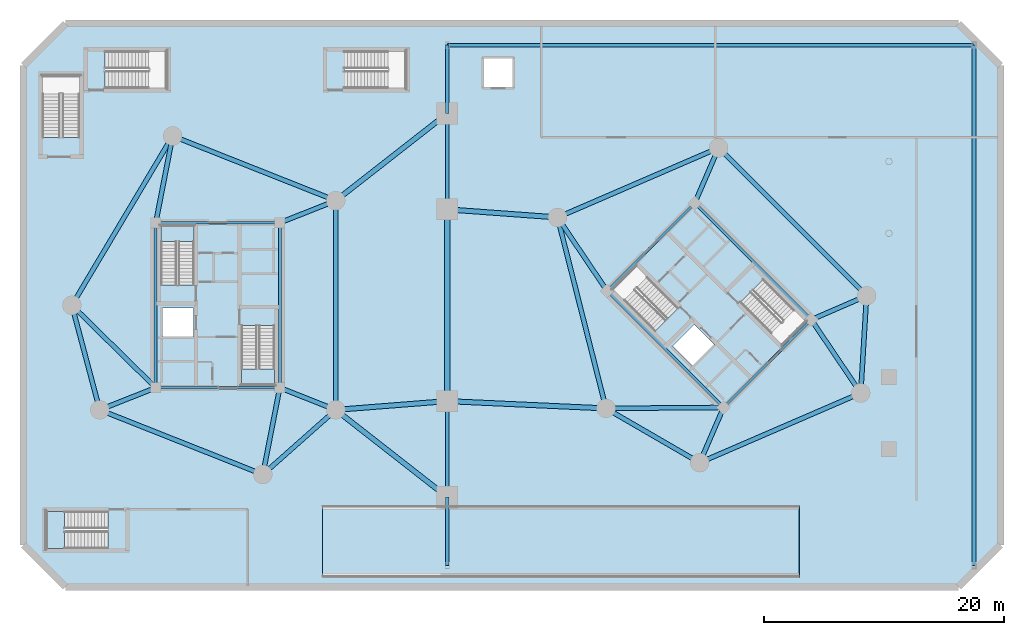
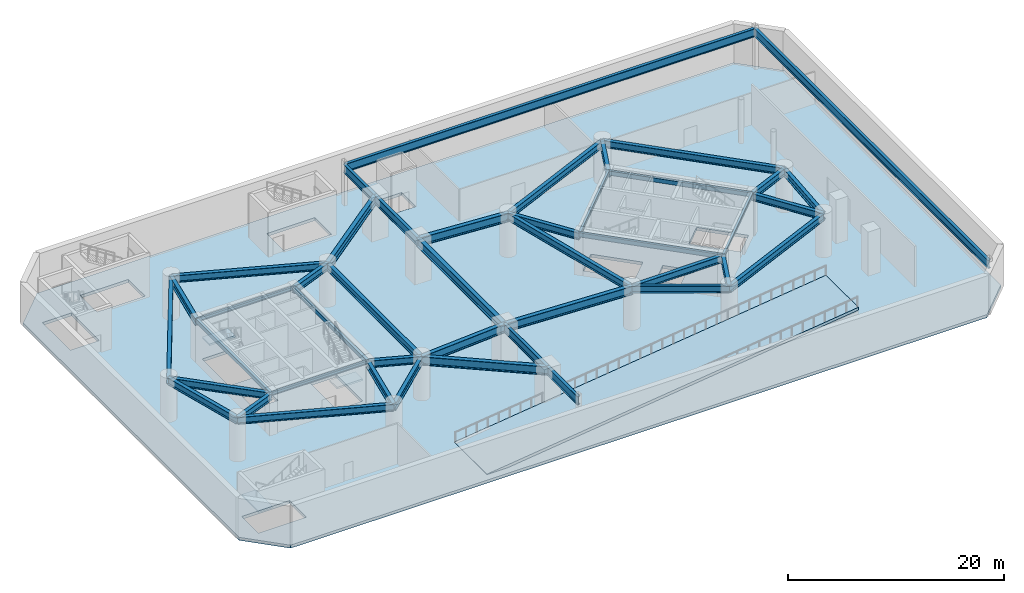
# One storey, part 3 of 14: 44 beams, 5 slabs, 3 elements without a shape of their own.
"""IFC4 building model written with IfcOpenShell, lengths in metres."""

import ifcopenshell
import ifcopenshell.guid

model = None  # the IFC model being written
_history = None  # IfcOwnerHistory: only IFC2X3 demands one
_inside = {}  # id of a spatial element -> (the spatial element, [elements in it])
_under = {}  # id of a project, library or spatial element -> (it, [spatial elements below it])
_declared = {}  # id of a project -> (the project, [libraries it declares])
_typed = {}  # id of a type object -> (the type object, [elements of that type])
_made_of = {}  # id of a material, layer set ... -> (it, [elements and type objects made of it])


def new_model(schema):
    """Start an empty IFC model of exactly this schema.

    Asked for "IFC4X3", IfcOpenShell would pick the latest addendum, in which some entities
    have other attributes; the version numbers below select the first issue.
    IFC2X3 requires an IfcOwnerHistory on every rooted entity: one is made here for all.
    """
    global model, _history
    if schema == "IFC4X3":
        model = ifcopenshell.file(schema_version=(4, 3, 0, 0))
    else:
        model = ifcopenshell.file(schema=schema)
    _inside.clear()
    _under.clear()
    _declared.clear()
    _typed.clear()
    _made_of.clear()
    _history = None
    if model.schema == "IFC2X3":
        org = make("IfcOrganization", Name="unknown")
        user = make(
            "IfcPersonAndOrganization",
            ThePerson=make("IfcPerson", FamilyName="unknown"),
            TheOrganization=org,
        )
        app = make(
            "IfcApplication",
            ApplicationDeveloper=org,
            Version="unknown",
            ApplicationFullName="unknown",
            ApplicationIdentifier="unknown",
        )
        _history = make(
            "IfcOwnerHistory",
            OwningUser=user,
            OwningApplication=app,
            ChangeAction="ADDED",
            CreationDate=0,
        )
    return model


def make(cls, **values):
    """One entity of the class cls with the attributes given. An attribute that is None is left unset."""
    return model.create_entity(
        cls, **{name: value for name, value in values.items() if value is not None}
    )


def rooted(cls, **values):
    """An entity with a GlobalId (a new one), such as an element, a storey or a relation."""
    return make(cls, GlobalId=ifcopenshell.guid.new(), OwnerHistory=_history, **values)


def si_unit(unit_type, name, prefix=None):
    """IfcSIUnit, for example si_unit("LENGTHUNIT", "METRE", prefix="MILLI")."""
    return make("IfcSIUnit", UnitType=unit_type, Prefix=prefix, Name=name)


def assignment(units):
    """IfcUnitAssignment: the units of a project."""
    return None if units is None else make("IfcUnitAssignment", Units=units)


def point(xyz):
    """IfcCartesianPoint."""
    return None if xyz is None else make("IfcCartesianPoint", Coordinates=xyz)


def direction(xyz):
    """IfcDirection."""
    return None if xyz is None else make("IfcDirection", DirectionRatios=xyz)


def frame(location, z_axis=None, x_axis=None):
    """IfcAxis2Placement3D, a coordinate frame: its origin and axes. An axis left out is left unset."""
    return make(
        "IfcAxis2Placement3D",
        Location=point(location),
        Axis=direction(z_axis),
        RefDirection=direction(x_axis),
    )


def frame_2d(location, x_axis=None):
    """IfcAxis2Placement2D, a coordinate frame in the plane: its origin and x axis."""
    return make(
        "IfcAxis2Placement2D", Location=point(location), RefDirection=direction(x_axis)
    )


def origin():
    """The frame at (0, 0, 0) with its axes left unset."""
    return frame((0.0, 0.0, 0.0))


def origin_2d():
    """The frame at (0, 0) in the plane with its x axis left unset."""
    return frame_2d((0.0, 0.0))


def place(relative_to, where):
    """IfcLocalPlacement: puts the frame where relative to a parent placement (None: the world)."""
    return make(
        "IfcLocalPlacement", PlacementRelTo=relative_to, RelativePlacement=where
    )


def context(
    kind, dimensions, precision=None, world=None, true_north=None, identifier=None
):
    """IfcGeometricRepresentationContext, for example the 3D "Model" context."""
    return make(
        "IfcGeometricRepresentationContext",
        ContextIdentifier=identifier,
        ContextType=kind,
        CoordinateSpaceDimension=dimensions,
        Precision=precision,
        WorldCoordinateSystem=world,
        TrueNorth=true_north,
    )


def subcontext(parent, identifier, kind, view, scale=None):
    """IfcGeometricRepresentationSubContext, for example "Body" below "Model"."""
    return make(
        "IfcGeometricRepresentationSubContext",
        ContextIdentifier=identifier,
        ContextType=kind,
        ParentContext=parent,
        TargetScale=scale,
        TargetView=view,
    )


def project(units=None, contexts=None):
    """IfcProject with its units and contexts."""
    return rooted(
        "IfcProject",
        Name="project",
        RepresentationContexts=contexts,
        UnitsInContext=assignment(units),
    )


def spatial(cls, under=None, at=None, **own):
    """A site, building, storey or space (cls), placed at a placement, below another one or the project."""
    s = rooted(cls, ObjectPlacement=at, **own)
    if under is not None:
        _under.setdefault(under.id(), (under, []))[1].append(s)
    return s


def polyline(points):
    """IfcPolyline through the points."""
    return make("IfcPolyline", Points=[point(p) for p in points])


def profile(cls, at=None, kind="AREA", **sizes):
    """A parametric profile (cls). Its sizes go by their IFC names, for example OverallWidth=200.0."""
    return make(cls, ProfileType=kind, Position=at, **sizes)


def hollow_rectangle(**sizes):
    """IfcRectangleHollowProfileDef."""
    return profile("IfcRectangleHollowProfileDef", **sizes)


def i_section(**sizes):
    """IfcIShapeProfileDef."""
    return profile("IfcIShapeProfileDef", **sizes)


def outline(outer, holes=None, kind="AREA"):
    """IfcArbitraryClosedProfileDef: a profile drawn as a closed curve; with holes, ...WithVoids."""
    if holes is None:
        return make("IfcArbitraryClosedProfileDef", ProfileType=kind, OuterCurve=outer)
    return make(
        "IfcArbitraryProfileDefWithVoids",
        ProfileType=kind,
        OuterCurve=outer,
        InnerCurves=holes,
    )


def extrude(swept, where, along, depth):
    """IfcExtrudedAreaSolid: the profile swept, set in the frame where, extruded along a direction by depth."""
    return make(
        "IfcExtrudedAreaSolid",
        SweptArea=swept,
        Position=where,
        ExtrudedDirection=direction(along),
        Depth=depth,
    )


def shape(context_of_items, identifier, shape_type, items):
    """IfcShapeRepresentation: the items that make up one representation, for example the "Body"."""
    return make(
        "IfcShapeRepresentation",
        ContextOfItems=context_of_items,
        RepresentationIdentifier=identifier,
        RepresentationType=shape_type,
        Items=items,
    )


def material(Name=None, Category=None):
    """IfcMaterial."""
    return make("IfcMaterial", Name=Name, Category=Category)


def layer(
    of_material, thickness, ventilated=None, Name=None, Category=None, Priority=None
):
    """IfcMaterialLayer: one layer of a wall or slab, of a material (None: an air gap)."""
    return make(
        "IfcMaterialLayer",
        Material=of_material,
        LayerThickness=thickness,
        IsVentilated=ventilated,
        Name=Name,
        Category=Category,
        Priority=Priority,
    )


def layer_set(layers, Name=None):
    """IfcMaterialLayerSet."""
    return make("IfcMaterialLayerSet", MaterialLayers=layers, LayerSetName=Name)


def material_profile(
    of_material, cross_section, Name=None, Category=None, Priority=None
):
    """IfcMaterialProfile: a cross section and its material."""
    return make(
        "IfcMaterialProfile",
        Name=Name,
        Material=of_material,
        Profile=cross_section,
        Priority=Priority,
        Category=Category,
    )


def profile_set(profiles, Name=None, composite=None):
    """IfcMaterialProfileSet."""
    return make(
        "IfcMaterialProfileSet",
        Name=Name,
        MaterialProfiles=profiles,
        CompositeProfile=composite,
    )


def made_of(thing, what):
    """Note that an element or type object is made of a material, layer set ...; save() writes the relation."""
    if what is not None:
        _made_of.setdefault(what.id(), (what, []))[1].append(thing)
    return thing


def type_object(cls, material=None, **own):
    """A type object (cls), such as IfcWallType, which elements share."""
    return made_of(rooted(cls, **own), material)


def element(
    cls,
    number,
    at=None,
    inside=None,
    cuts=None,
    type_object=None,
    material=None,
    context=None,
    identifier="Body",
    shape_type=None,
    held_by="IfcProductDefinitionShape",
    body=None,
    shapes=None,
    **own,
):
    """One element of the class cls, such as IfcWall. Its Tag is "e" and its number.

    at: its placement. inside: the storey or other place that contains it. cuts: it is an
    opening in that element (IfcRelVoidsElement). A single representation is given by context,
    identifier, shape_type and body (its items); several are given by shapes. held_by: the class
    of the entity that holds the representations. save() writes the other relations.
    """
    e = rooted(cls, Tag="e%d" % number, ObjectPlacement=at, **own)
    if body is not None:
        shapes = [shape(context, identifier, shape_type, body)]
    if shapes is not None:
        e.Representation = make(held_by, Representations=shapes)
    if inside is not None:
        _inside.setdefault(inside.id(), (inside, []))[1].append(e)
    if cuts is not None:
        rooted(
            "IfcRelVoidsElement", RelatingBuildingElement=cuts, RelatedOpeningElement=e
        )
    if type_object is not None:
        _typed.setdefault(type_object.id(), (type_object, []))[1].append(e)
    return made_of(e, material)


def aggregate(whole, parts):
    """IfcRelAggregates: a whole, such as a stair, and the parts it consists of."""
    return rooted("IfcRelAggregates", RelatingObject=whole, RelatedObjects=parts)


def save(model, path):
    """Write the relations noted so far, then the file.

    IfcRelAggregates (storeys below a building ...), IfcRelContainedInSpatialStructure (elements
    in a storey), IfcRelDefinesByType, IfcRelAssociatesMaterial and IfcRelDeclares: one each for
    every whole, place, type object, material and project.
    """
    for whole, parts in _under.values():
        aggregate(whole, parts)
    for where, things in _inside.values():
        rooted(
            "IfcRelContainedInSpatialStructure",
            RelatedElements=things,
            RelatingStructure=where,
        )
    for kind, things in _typed.values():
        rooted("IfcRelDefinesByType", RelatedObjects=things, RelatingType=kind)
    for what, things in _made_of.values():
        rooted("IfcRelAssociatesMaterial", RelatedObjects=things, RelatingMaterial=what)
    for by, libraries in _declared.values():
        rooted("IfcRelDeclares", RelatingContext=by, RelatedDefinitions=libraries)
    model.write(path)


model = new_model("IFC4")

# Units and contexts
model_context = context("Model", 3, precision=1e-05, world=origin(), true_north=direction((0.0, 1.0)))
body_context = subcontext(model_context, "Body", "Model", "MODEL_VIEW")
ifc_project = project(units=[si_unit("LENGTHUNIT", "METRE"), si_unit("AREAUNIT", "SQUARE_METRE"), si_unit("VOLUMEUNIT", "CUBIC_METRE"), si_unit("PLANEANGLEUNIT", "RADIAN"), si_unit("MASSUNIT", "GRAM", prefix="KILO")], contexts=[model_context])

# Site, building, storey
site_placement = place(None, origin())
site = spatial("IfcSite", under=ifc_project, at=site_placement, CompositionType="ELEMENT")
building_placement = place(site_placement, origin())
building = spatial("IfcBuilding", under=site, at=building_placement, Name="Cununo Teusaquillo Station Towers", CompositionType="ELEMENT")
storey_placement = place(building_placement, frame((0.0, 0.0, -5.0)))
storey = spatial("IfcBuildingStorey", under=building, at=storey_placement, Name="B01", CompositionType="ELEMENT", Elevation=-5.0)

# Beams
ifc_material_1 = material(Name="Steel EN 10025-2 S355J2", Category="steel")
ifc_material_profile_1 = material_profile(ifc_material_1, hollow_rectangle(XDim=0.25, YDim=0.449951171875, WallThickness=0.01611328125, at=origin_2d()), Name="RHS 450x250x16")
ifc_profile_set_1 = profile_set([ifc_material_profile_1], Name="Steel EN 10025-2 S355J2")
beam_type_1 = type_object("IfcBeamType", Name="BM-COUP-1", PredefinedType="USERDEFINED", material=ifc_profile_set_1)
for number, where, z_axis, x_axis, name in (
    (1, (11.324951171875, 17.6201171875, 4.39501953125), (0.0, 1.0, 0.0), (-1.0, 0.0, 0.0), "B01 Tower A Core Beam 1"),
    (2, (21.675048828125, 17.6201171875, 4.39501953125), (0.0, 1.0, 0.0), (-1.0, 0.0, 0.0), "B01 Tower A Core Beam 2"),
):
    element("IfcBeam", number, at=place(storey_placement, frame(where, z_axis=z_axis, x_axis=x_axis)), inside=storey, type_object=beam_type_1, Name=name, ObjectType="COUPLING BEAM", PredefinedType="USERDEFINED", context=body_context, shape_type="SweptSolid", body=[
        extrude(hollow_rectangle(XDim=0.25, YDim=0.449951171875, WallThickness=0.01611328125, at=origin_2d()), origin(), (0.0, 0.0, 1.0), 13.759765625),
    ])
for number, where, z_axis, x_axis, name in (
    (3, (58.70556640625, 15.975830078125, 4.39501953125), (-0.707106781187, 0.707106781187, 0.0), (-0.707106781187, -0.707106781187, 0.0), "B01 Tower B Core Beam 1"),
    (4, (66.024169921875, 23.29443359375, 4.39501953125), (-0.707106781187, 0.707106781187, 0.0), (-0.707106781187, -0.707106781187, 0.0), "B01 Tower B Core Beam 2"),
):
    element("IfcBeam", number, at=place(storey_placement, frame(where, z_axis=z_axis, x_axis=x_axis)), inside=storey, type_object=beam_type_1, Name=name, ObjectType="COUPLING BEAM", PredefinedType="USERDEFINED", context=body_context, shape_type="SweptSolid", body=[
        extrude(hollow_rectangle(XDim=0.25, YDim=0.449951171875, WallThickness=0.01611328125, at=origin_2d()), origin(), (0.0, 0.0, 1.0), 13.760009765625),
    ])
ifc_material_2 = material(Name="Steel ASTM A572 Grade 50", Category="steel")
ifc_material_profile_2 = material_profile(ifc_material_2, i_section(OverallWidth=0.2041015625, OverallDepth=0.35009765625, WebThickness=0.008544921875, FlangeThickness=0.01513671875, FilletRadius=0.011962890625, at=origin_2d()), Name="W14X48")
ifc_profile_set_2 = profile_set([ifc_material_profile_2], Name="Steel ASTM A572 Grade 50")
beam_type_2 = type_object("IfcBeamType", Name="BM-LINTEL-1", PredefinedType="LINTEL", material=ifc_profile_set_2)
for number, where, z_axis, x_axis, name in (
    (5, (11.324951171875, 17.6201171875, 4.445068359375), (1.0, 0.0, 0.0), (0.0, 1.0, 0.0), "B01 Tower A Core Beam 3"),
    (6, (11.324951171875, 31.3798828125, 4.445068359375), (1.0, 0.0, 0.0), (0.0, 1.0, 0.0), "B01 Tower A Core Beam 4"),
    (7, (58.70556640625, 15.975830078125, 4.445068359375), (0.707106781187, 0.707106781187, 0.0), (-0.707106781187, 0.707106781187, 0.0), "B01 Tower B Core Beam 3"),
    (8, (48.975830078125, 25.70556640625, 4.445068359375), (0.707106781187, 0.707106781187, 0.0), (-0.707106781187, 0.707106781187, 0.0), "B01 Tower B Core Beam 4"),
):
    element("IfcBeam", number, at=place(storey_placement, frame(where, z_axis=z_axis, x_axis=x_axis)), inside=storey, type_object=beam_type_2, Name=name, PredefinedType="LINTEL", context=body_context, shape_type="SweptSolid", body=[
        extrude(i_section(OverallWidth=0.2041015625, OverallDepth=0.35009765625, WebThickness=0.008544921875, FlangeThickness=0.01513671875, FilletRadius=0.011962890625, at=origin_2d()), origin(), (0.0, 0.0, 1.0), 10.35009765625),
    ])
ifc_material_3 = material(Name="Steel ASTM A572 Grade 50", Category="steel")
ifc_material_profile_3 = material_profile(ifc_material_3, i_section(OverallWidth=0.381103515625, OverallDepth=0.77294921875, WebThickness=0.0166015625, FlangeThickness=0.027099609375, FilletRadius=0.01904296875, at=origin_2d()), Name="W30X173")
ifc_profile_set_3 = profile_set([ifc_material_profile_3], Name="Steel ASTM A572 Grade 50")
beam_type_3 = type_object("IfcBeamType", Name="BM-POD-G4", PredefinedType="BEAM", material=ifc_profile_set_3)
beam_1_placement = place(storey_placement, frame((26.347412109375, 33.228515625, 4.2333984375), z_axis=(-0.929621249939, 0.368516392664, 0.0), x_axis=(-0.368516392664, -0.929621249939, 0.0)))
element("IfcBeam", 9, at=beam_1_placement, inside=storey, type_object=beam_type_3, Name="B01 Tower A Podium Perimeter Girder 1", PredefinedType="BEAM", context=body_context, shape_type="SweptSolid", body=[
    extrude(i_section(OverallWidth=0.381103515625, OverallDepth=0.77294921875, WebThickness=0.0166015625, FlangeThickness=0.027099609375, FilletRadius=0.01904296875, at=origin_2d()), origin(), (0.0, 0.0, 1.0), 14.63916015625),
])
beam_2_placement = place(storey_placement, frame((12.738525390625, 38.623291015625, 4.2333984375), z_axis=(-0.511660099054, -0.859187955593, 0.0), x_axis=(0.859187955593, -0.511660099054, 0.0)))
element("IfcBeam", 10, at=beam_2_placement, inside=storey, type_object=beam_type_3, Name="B01 Tower A Podium Perimeter Girder 2", PredefinedType="BEAM", context=body_context, shape_type="SweptSolid", body=[
    extrude(i_section(OverallWidth=0.381103515625, OverallDepth=0.77294921875, WebThickness=0.0166015625, FlangeThickness=0.027099609375, FilletRadius=0.01904296875, at=origin_2d()), origin(), (0.0, 0.0, 1.0), 16.43798828125),
])
beam_3_placement = place(storey_placement, frame((4.327880859375, 24.5, 4.2333984375), z_axis=(0.257363196347, -0.966314744359, 0.0), x_axis=(0.966314744359, 0.257363196347, 0.0)))
element("IfcBeam", 11, at=beam_3_placement, inside=storey, type_object=beam_type_3, Name="B01 Tower A Podium Perimeter Girder 3", PredefinedType="BEAM", context=body_context, shape_type="SweptSolid", body=[
    extrude(i_section(OverallWidth=0.381103515625, OverallDepth=0.77294921875, WebThickness=0.0166015625, FlangeThickness=0.027099609375, FilletRadius=0.01904296875, at=origin_2d()), origin(), (0.0, 0.0, 1.0), 9.03271484375),
])
beam_4_placement = place(storey_placement, frame((6.652587890625, 15.771484375, 4.2333984375), z_axis=(0.929621249939, -0.368516392664, 0.0), x_axis=(0.368516392664, 0.929621249939, 0.0)))
element("IfcBeam", 12, at=beam_4_placement, inside=storey, type_object=beam_type_3, Name="B01 Tower A Podium Perimeter Girder 4", PredefinedType="BEAM", context=body_context, shape_type="SweptSolid", body=[
    extrude(i_section(OverallWidth=0.381103515625, OverallDepth=0.77294921875, WebThickness=0.0166015625, FlangeThickness=0.027099609375, FilletRadius=0.01904296875, at=origin_2d()), origin(), (0.0, 0.0, 1.0), 14.63916015625),
])
beam_5_placement = place(storey_placement, frame((20.261474609375, 10.376708984375, 4.2333984375), z_axis=(0.74832120039, 0.66333655187, 0.0), x_axis=(-0.66333655187, 0.74832120039, 0.0)))
element("IfcBeam", 13, at=beam_5_placement, inside=storey, type_object=beam_type_3, Name="B01 Tower A Podium Perimeter Girder 5", PredefinedType="BEAM", context=body_context, shape_type="SweptSolid", body=[
    extrude(i_section(OverallWidth=0.381103515625, OverallDepth=0.77294921875, WebThickness=0.0166015625, FlangeThickness=0.027099609375, FilletRadius=0.01904296875, at=origin_2d()), origin(), (0.0, 0.0, 1.0), 8.1328125),
])
beam_6_placement = place(storey_placement, frame((26.347412109375, 15.771484375, 4.2333984375), z_axis=(0.0, 1.0, 0.0), x_axis=(-1.0, 0.0, 0.0)))
element("IfcBeam", 14, at=beam_6_placement, inside=storey, type_object=beam_type_3, Name="B01 Tower A Podium Perimeter Girder 6", PredefinedType="BEAM", context=body_context, shape_type="SweptSolid", body=[
    extrude(i_section(OverallWidth=0.381103515625, OverallDepth=0.77294921875, WebThickness=0.0166015625, FlangeThickness=0.027099609375, FilletRadius=0.01904296875, at=origin_2d()), origin(), (0.0, 0.0, 1.0), 17.45703125),
])
beam_7_placement = place(storey_placement, frame((21.675048828125, 31.3798828125, 4.2333984375), z_axis=(0.929864104313, 0.367903176814, 0.0), x_axis=(-0.367903176814, 0.929864104313, 0.0)))
element("IfcBeam", 15, at=beam_7_placement, inside=storey, type_object=beam_type_3, Name="B01 Tower A Podium Radial Girder 1", PredefinedType="BEAM", context=body_context, shape_type="SweptSolid", body=[
    extrude(i_section(OverallWidth=0.381103515625, OverallDepth=0.77294921875, WebThickness=0.0166015625, FlangeThickness=0.027099609375, FilletRadius=0.01904296875, at=origin_2d()), origin(), (0.0, 0.0, 1.0), 5.02490234375),
])
beam_8_placement = place(storey_placement, frame((11.324951171875, 31.3798828125, 4.2333984375), z_axis=(0.191539895403, 0.981484828446, 0.0), x_axis=(-0.981484828446, 0.191539895403, 0.0)))
element("IfcBeam", 16, at=beam_8_placement, inside=storey, type_object=beam_type_3, Name="B01 Tower A Podium Radial Girder 2", PredefinedType="BEAM", context=body_context, shape_type="SweptSolid", body=[
    extrude(i_section(OverallWidth=0.381103515625, OverallDepth=0.77294921875, WebThickness=0.0166015625, FlangeThickness=0.027099609375, FilletRadius=0.01904296875, at=origin_2d()), origin(), (0.0, 0.0, 1.0), 7.380126953125),
])
beam_9_placement = place(storey_placement, frame((11.324951171875, 17.6201171875, 4.2333984375), z_axis=(-0.713052701438, 0.701110437073, 0.0), x_axis=(-0.701110437073, -0.713052701438, 0.0)))
element("IfcBeam", 17, at=beam_9_placement, inside=storey, type_object=beam_type_3, Name="B01 Tower A Podium Radial Girder 3", PredefinedType="BEAM", context=body_context, shape_type="SweptSolid", body=[
    extrude(i_section(OverallWidth=0.381103515625, OverallDepth=0.77294921875, WebThickness=0.0166015625, FlangeThickness=0.027099609375, FilletRadius=0.01904296875, at=origin_2d()), origin(), (0.0, 0.0, 1.0), 9.812744140625),
])
beam_10_placement = place(storey_placement, frame((11.324951171875, 17.6201171875, 4.2333984375), z_axis=(-0.929864104313, -0.367903176814, 0.0), x_axis=(0.367903176814, -0.929864104313, 0.0)))
element("IfcBeam", 18, at=beam_10_placement, inside=storey, type_object=beam_type_3, Name="B01 Tower A Podium Radial Girder 4", PredefinedType="BEAM", context=body_context, shape_type="SweptSolid", body=[
    extrude(i_section(OverallWidth=0.381103515625, OverallDepth=0.77294921875, WebThickness=0.0166015625, FlangeThickness=0.027099609375, FilletRadius=0.01904296875, at=origin_2d()), origin(), (0.0, 0.0, 1.0), 5.02490234375),
])
beam_11_placement = place(storey_placement, frame((21.675048828125, 17.6201171875, 4.2333984375), z_axis=(-0.191539895403, -0.981484828446, 0.0), x_axis=(0.981484828446, -0.191539895403, 0.0)))
element("IfcBeam", 19, at=beam_11_placement, inside=storey, type_object=beam_type_3, Name="B01 Tower A Podium Radial Girder 5", PredefinedType="BEAM", context=body_context, shape_type="SweptSolid", body=[
    extrude(i_section(OverallWidth=0.381103515625, OverallDepth=0.77294921875, WebThickness=0.0166015625, FlangeThickness=0.027099609375, FilletRadius=0.01904296875, at=origin_2d()), origin(), (0.0, 0.0, 1.0), 7.380126953125),
])
beam_12_placement = place(storey_placement, frame((21.675048828125, 17.6201171875, 4.2333984375), z_axis=(0.929864104313, -0.367903176814, 0.0), x_axis=(0.367903176814, 0.929864104313, 0.0)))
element("IfcBeam", 20, at=beam_12_placement, inside=storey, type_object=beam_type_3, Name="B01 Tower A Podium Radial Girder 6", PredefinedType="BEAM", context=body_context, shape_type="SweptSolid", body=[
    extrude(i_section(OverallWidth=0.381103515625, OverallDepth=0.77294921875, WebThickness=0.0166015625, FlangeThickness=0.027099609375, FilletRadius=0.01904296875, at=origin_2d()), origin(), (0.0, 0.0, 1.0), 5.02490234375),
])
beam_13_placement = place(storey_placement, frame((58.291015625, 37.63525390625, 4.2333984375), z_axis=(-0.917915648818, -0.396775580971, 0.0), x_axis=(0.396775580971, -0.917915648818, 0.0)))
element("IfcBeam", 21, at=beam_13_placement, inside=storey, type_object=beam_type_3, Name="B01 Tower B Podium Perimeter Girder 1", PredefinedType="BEAM", context=body_context, shape_type="SweptSolid", body=[
    extrude(i_section(OverallWidth=0.381103515625, OverallDepth=0.77294921875, WebThickness=0.0166015625, FlangeThickness=0.027099609375, FilletRadius=0.01904296875, at=origin_2d()), origin(), (0.0, 0.0, 1.0), 14.638916015625),
])
beam_14_placement = place(storey_placement, frame((44.853759765625, 31.826904296875, 4.2333984375), z_axis=(0.245731928557, -0.969337825161, 0.0), x_axis=(0.969337825161, 0.245731928557, 0.0)))
element("IfcBeam", 22, at=beam_14_placement, inside=storey, type_object=beam_type_3, Name="B01 Tower B Podium Perimeter Girder 2", PredefinedType="BEAM", context=body_context, shape_type="SweptSolid", body=[
    extrude(i_section(OverallWidth=0.381103515625, OverallDepth=0.77294921875, WebThickness=0.0166015625, FlangeThickness=0.027099609375, FilletRadius=0.01904296875, at=origin_2d()), origin(), (0.0, 0.0, 1.0), 16.437744140625),
])
beam_15_placement = place(storey_placement, frame((48.89306640625, 15.89306640625, 4.2333984375), z_axis=(0.865267103202, -0.501311121078, 0.0), x_axis=(0.501311121078, 0.865267103202, 0.0)))
element("IfcBeam", 23, at=beam_15_placement, inside=storey, type_object=beam_type_3, Name="B01 Tower B Podium Perimeter Girder 3", PredefinedType="BEAM", context=body_context, shape_type="SweptSolid", body=[
    extrude(i_section(OverallWidth=0.381103515625, OverallDepth=0.77294921875, WebThickness=0.0166015625, FlangeThickness=0.027099609375, FilletRadius=0.01904296875, at=origin_2d()), origin(), (0.0, 0.0, 1.0), 9.032958984375),
])
beam_16_placement = place(storey_placement, frame((56.708984375, 11.36474609375, 4.2333984375), z_axis=(0.917915648818, 0.396775580971, 0.0), x_axis=(-0.396775580971, 0.917915648818, 0.0)))
element("IfcBeam", 24, at=beam_16_placement, inside=storey, type_object=beam_type_3, Name="B01 Tower B Podium Perimeter Girder 4", PredefinedType="BEAM", context=body_context, shape_type="SweptSolid", body=[
    extrude(i_section(OverallWidth=0.381103515625, OverallDepth=0.77294921875, WebThickness=0.0166015625, FlangeThickness=0.027099609375, FilletRadius=0.01904296875, at=origin_2d()), origin(), (0.0, 0.0, 1.0), 14.638916015625),
])
beam_17_placement = place(storey_placement, frame((70.146240234375, 17.173095703125, 4.2333984375), z_axis=(0.06012979176, 0.998190567048, 0.0), x_axis=(-0.998190567048, 0.06012979176, 0.0)))
element("IfcBeam", 25, at=beam_17_placement, inside=storey, type_object=beam_type_3, Name="B01 Tower B Podium Perimeter Girder 5", PredefinedType="BEAM", context=body_context, shape_type="SweptSolid", body=[
    extrude(i_section(OverallWidth=0.381103515625, OverallDepth=0.77294921875, WebThickness=0.0166015625, FlangeThickness=0.027099609375, FilletRadius=0.01904296875, at=origin_2d()), origin(), (0.0, 0.0, 1.0), 8.132568359375),
])
beam_18_placement = place(storey_placement, frame((70.63525390625, 25.291015625, 4.2333984375), z_axis=(-0.707106781187, 0.707106781187, 0.0), x_axis=(-0.707106781187, -0.707106781187, 0.0)))
element("IfcBeam", 26, at=beam_18_placement, inside=storey, type_object=beam_type_3, Name="B01 Tower B Podium Perimeter Girder 6", PredefinedType="BEAM", context=body_context, shape_type="SweptSolid", body=[
    extrude(i_section(OverallWidth=0.381103515625, OverallDepth=0.77294921875, WebThickness=0.0166015625, FlangeThickness=0.027099609375, FilletRadius=0.01904296875, at=origin_2d()), origin(), (0.0, 0.0, 1.0), 17.457275390625),
])
beam_19_placement = place(storey_placement, frame((56.29443359375, 33.024169921875, 4.2333984375), z_axis=(0.397346986387, 0.917668443616, 0.0), x_axis=(-0.917668443616, 0.397346986387, 0.0)))
element("IfcBeam", 27, at=beam_19_placement, inside=storey, type_object=beam_type_3, Name="B01 Tower B Podium Radial Girder 1", PredefinedType="BEAM", context=body_context, shape_type="SweptSolid", body=[
    extrude(i_section(OverallWidth=0.381103515625, OverallDepth=0.77294921875, WebThickness=0.0166015625, FlangeThickness=0.027099609375, FilletRadius=0.01904296875, at=origin_2d()), origin(), (0.0, 0.0, 1.0), 5.02490234375),
])
beam_20_placement = place(storey_placement, frame((48.975830078125, 25.70556640625, 4.2333984375), z_axis=(-0.558557182486, 0.829466017323, 0.0), x_axis=(-0.829466017323, -0.558557182486, 0.0)))
element("IfcBeam", 28, at=beam_20_placement, inside=storey, type_object=beam_type_3, Name="B01 Tower B Podium Radial Girder 2", PredefinedType="BEAM", context=body_context, shape_type="SweptSolid", body=[
    extrude(i_section(OverallWidth=0.381103515625, OverallDepth=0.77294921875, WebThickness=0.0166015625, FlangeThickness=0.027099609375, FilletRadius=0.01904296875, at=origin_2d()), origin(), (0.0, 0.0, 1.0), 7.3798828125),
])
beam_21_placement = place(storey_placement, frame((58.70556640625, 15.975830078125, 4.2333984375), z_axis=(-0.999964431382, -0.008434214327, 0.0), x_axis=(0.008434214327, -0.999964431382, 0.0)))
element("IfcBeam", 29, at=beam_21_placement, inside=storey, type_object=beam_type_3, Name="B01 Tower B Podium Radial Girder 3", PredefinedType="BEAM", context=body_context, shape_type="SweptSolid", body=[
    extrude(i_section(OverallWidth=0.381103515625, OverallDepth=0.77294921875, WebThickness=0.0166015625, FlangeThickness=0.027099609375, FilletRadius=0.01904296875, at=origin_2d()), origin(), (0.0, 0.0, 1.0), 9.812744140625),
])
beam_22_placement = place(storey_placement, frame((58.70556640625, 15.975830078125, 4.2333984375), z_axis=(-0.397346986387, -0.917668443616, 0.0), x_axis=(0.917668443616, -0.397346986387, 0.0)))
element("IfcBeam", 30, at=beam_22_placement, inside=storey, type_object=beam_type_3, Name="B01 Tower B Podium Radial Girder 4", PredefinedType="BEAM", context=body_context, shape_type="SweptSolid", body=[
    extrude(i_section(OverallWidth=0.381103515625, OverallDepth=0.77294921875, WebThickness=0.0166015625, FlangeThickness=0.027099609375, FilletRadius=0.01904296875, at=origin_2d()), origin(), (0.0, 0.0, 1.0), 5.02490234375),
])
beam_23_placement = place(storey_placement, frame((66.024169921875, 23.29443359375, 4.2333984375), z_axis=(0.558557182486, -0.829466017323, 0.0), x_axis=(0.829466017323, 0.558557182486, 0.0)))
element("IfcBeam", 31, at=beam_23_placement, inside=storey, type_object=beam_type_3, Name="B01 Tower B Podium Radial Girder 5", PredefinedType="BEAM", context=body_context, shape_type="SweptSolid", body=[
    extrude(i_section(OverallWidth=0.381103515625, OverallDepth=0.77294921875, WebThickness=0.0166015625, FlangeThickness=0.027099609375, FilletRadius=0.01904296875, at=origin_2d()), origin(), (0.0, 0.0, 1.0), 7.3798828125),
])
beam_24_placement = place(storey_placement, frame((66.024169921875, 23.29443359375, 4.2333984375), z_axis=(0.917668443616, 0.397346986387, 0.0), x_axis=(-0.397346986387, 0.917668443616, 0.0)))
element("IfcBeam", 32, at=beam_24_placement, inside=storey, type_object=beam_type_3, Name="B01 Tower B Podium Radial Girder 6", PredefinedType="BEAM", context=body_context, shape_type="SweptSolid", body=[
    extrude(i_section(OverallWidth=0.381103515625, OverallDepth=0.77294921875, WebThickness=0.0166015625, FlangeThickness=0.027099609375, FilletRadius=0.01904296875, at=origin_2d()), origin(), (0.0, 0.0, 1.0), 5.02490234375),
])
ifc_material_4 = material(Name="Steel ASTM A572 Grade 50", Category="steel")
ifc_material_profile_4 = material_profile(ifc_material_4, i_section(OverallWidth=0.30810546875, OverallDepth=0.943115234375, WebThickness=0.022216796875, FlangeThickness=0.039794921875, FilletRadius=0.02392578125, at=origin_2d()), Name="W36X232")
ifc_profile_set_4 = profile_set([ifc_material_profile_4], Name="Steel ASTM A572 Grade 50")
beam_type_4 = type_object("IfcBeamType", Name="BM-POD-SEC", PredefinedType="BEAM", material=ifc_profile_set_4)
beam_25_placement = place(storey_placement, frame((35.64990234375, 2.800048828125, 4.1484375), z_axis=(0.0, 1.0, 0.0), x_axis=(-1.0, 0.0, 0.0)))
element("IfcBeam", 33, at=beam_25_placement, inside=storey, type_object=beam_type_4, Name="B01 Station Podium Girder NS-1", PredefinedType="BEAM", context=body_context, shape_type="SweptSolid", body=[
    extrude(i_section(OverallWidth=0.30810546875, OverallDepth=0.943115234375, WebThickness=0.022216796875, FlangeThickness=0.039794921875, FilletRadius=0.02392578125, at=origin_2d()), origin(), (0.0, 0.0, 1.0), 5.699951171875),
])
for number, where, z_axis, x_axis, name in (
    (34, (35.64990234375, 8.5, 4.1484375), (0.0, 1.0, 0.0), (-1.0, 0.0, 0.0), "B01 Station Podium Girder NS-2"),
    (35, (35.64990234375, 32.5, 4.1484375), (0.0, 1.0, 0.0), (-1.0, 0.0, 0.0), "B01 Station Podium Girder NS-3"),
):
    element("IfcBeam", number, at=place(storey_placement, frame(where, z_axis=z_axis, x_axis=x_axis)), inside=storey, type_object=beam_type_4, Name=name, PredefinedType="BEAM", context=body_context, shape_type="SweptSolid", body=[
        extrude(i_section(OverallWidth=0.30810546875, OverallDepth=0.943115234375, WebThickness=0.022216796875, FlangeThickness=0.039794921875, FilletRadius=0.02392578125, at=origin_2d()), origin(), (0.0, 0.0, 1.0), 8.0),
    ])
beam_26_placement = place(storey_placement, frame((35.64990234375, 40.5, 4.1484375), z_axis=(0.0, 1.0, 0.0), x_axis=(-1.0, 0.0, 0.0)))
element("IfcBeam", 36, at=beam_26_placement, inside=storey, type_object=beam_type_4, Name="B01 Station Podium Girder NS-4", PredefinedType="BEAM", context=body_context, shape_type="SweptSolid", body=[
    extrude(i_section(OverallWidth=0.30810546875, OverallDepth=0.943115234375, WebThickness=0.022216796875, FlangeThickness=0.039794921875, FilletRadius=0.02392578125, at=origin_2d()), origin(), (0.0, 0.0, 1.0), 5.699951171875),
])
beam_27_placement = place(storey_placement, frame((35.64990234375, 46.199951171875, 4.1484375), z_axis=(1.0, 0.0, 0.0), x_axis=(0.0, 1.0, 0.0)))
element("IfcBeam", 37, at=beam_27_placement, inside=storey, type_object=beam_type_4, Name="B01 Station Podium Girder CAN-N", PredefinedType="BEAM", context=body_context, shape_type="SweptSolid", body=[
    extrude(i_section(OverallWidth=0.30810546875, OverallDepth=0.943115234375, WebThickness=0.022216796875, FlangeThickness=0.039794921875, FilletRadius=0.02392578125, at=origin_2d()), origin(), (0.0, 0.0, 1.0), 43.9501953125),
])
beam_28_placement = place(storey_placement, frame((79.60009765625, 2.800048828125, 4.1484375), z_axis=(0.0, 1.0, 0.0), x_axis=(-1.0, 0.0, 0.0)))
element("IfcBeam", 38, at=beam_28_placement, inside=storey, type_object=beam_type_4, Name="B01 Station Podium Girder CAN-E", PredefinedType="BEAM", context=body_context, shape_type="SweptSolid", body=[
    extrude(i_section(OverallWidth=0.30810546875, OverallDepth=0.943115234375, WebThickness=0.022216796875, FlangeThickness=0.039794921875, FilletRadius=0.02392578125, at=origin_2d()), origin(), (0.0, 0.0, 1.0), 43.39990234375),
])
ifc_material_5 = material(Name="Steel ASTM A572 Grade 50", Category="steel")
ifc_material_profile_5 = material_profile(ifc_material_5, i_section(OverallWidth=0.423095703125, OverallDepth=0.947998046875, WebThickness=0.02392578125, FlangeThickness=0.042724609375, FilletRadius=0.02392578125, at=origin_2d()), Name="W36X302")
ifc_profile_set_5 = profile_set([ifc_material_profile_5], Name="Steel ASTM A572 Grade 50")
beam_type_5 = type_object("IfcBeamType", Name="BM-POD-SPAN", PredefinedType="BEAM", material=ifc_profile_set_5)
beam_29_placement = place(storey_placement, frame((35.64990234375, 16.5, 4.14599609375), z_axis=(0.0, 1.0, 0.0), x_axis=(-1.0, 0.0, 0.0)))
element("IfcBeam", 39, at=beam_29_placement, inside=storey, type_object=beam_type_5, Name="B01 Station Podium Girder NS-HALL", PredefinedType="BEAM", context=body_context, shape_type="SweptSolid", body=[
    extrude(i_section(OverallWidth=0.423095703125, OverallDepth=0.947998046875, WebThickness=0.02392578125, FlangeThickness=0.042724609375, FilletRadius=0.02392578125, at=origin_2d()), origin(), (0.0, 0.0, 1.0), 16.0),
])
for number, where, z_axis, x_axis, name in (
    (40, (26.347412109375, 33.228515625, 4.14599609375), (0.787863531103, 0.615849865112, 0.0), (-0.615849865112, 0.787863531103, 0.0), "B01 Station Podium Girder EW-N"),
    (41, (26.347412109375, 15.771484375, 4.14599609375), (0.787863531103, -0.615849865112, 0.0), (0.615849865112, 0.787863531103, 0.0), "B01 Station Podium Girder EW-S"),
):
    element("IfcBeam", number, at=place(storey_placement, frame(where, z_axis=z_axis, x_axis=x_axis)), inside=storey, type_object=beam_type_5, Name=name, PredefinedType="BEAM", context=body_context, shape_type="SweptSolid", body=[
        extrude(i_section(OverallWidth=0.423095703125, OverallDepth=0.947998046875, WebThickness=0.02392578125, FlangeThickness=0.042724609375, FilletRadius=0.02392578125, at=origin_2d()), origin(), (0.0, 0.0, 1.0), 11.80712890625),
    ])
beam_30_placement = place(storey_placement, frame((26.347412109375, 15.771484375, 4.14599609375), z_axis=(0.996947489132, 0.078074989045, 0.0), x_axis=(-0.078074989045, 0.996947489132, 0.0)))
element("IfcBeam", 42, at=beam_30_placement, inside=storey, type_object=beam_type_5, Name="B01 Station Podium Girder EW-M1", PredefinedType="BEAM", context=body_context, shape_type="SweptSolid", body=[
    extrude(i_section(OverallWidth=0.423095703125, OverallDepth=0.947998046875, WebThickness=0.02392578125, FlangeThickness=0.042724609375, FilletRadius=0.02392578125, at=origin_2d()), origin(), (0.0, 0.0, 1.0), 9.3310546875),
])
beam_31_placement = place(storey_placement, frame((35.64990234375, 32.5, 4.14599609375), z_axis=(0.997336540567, -0.072937129429, 0.0), x_axis=(0.072937129429, 0.997336540567, 0.0)))
element("IfcBeam", 43, at=beam_31_placement, inside=storey, type_object=beam_type_5, Name="B01 Station Podium Girder EW-M2", PredefinedType="BEAM", context=body_context, shape_type="SweptSolid", body=[
    extrude(i_section(OverallWidth=0.423095703125, OverallDepth=0.947998046875, WebThickness=0.02392578125, FlangeThickness=0.042724609375, FilletRadius=0.02392578125, at=origin_2d()), origin(), (0.0, 0.0, 1.0), 9.228515625),
])
beam_32_placement = place(storey_placement, frame((35.64990234375, 16.5, 4.14599609375), z_axis=(0.998951459145, -0.045781898965, 0.0), x_axis=(0.045781898965, 0.998951459145, 0.0)))
element("IfcBeam", 44, at=beam_32_placement, inside=storey, type_object=beam_type_5, Name="B01 Station Podium Girder EW-M3", PredefinedType="BEAM", context=body_context, shape_type="SweptSolid", body=[
    extrude(i_section(OverallWidth=0.423095703125, OverallDepth=0.947998046875, WebThickness=0.02392578125, FlangeThickness=0.042724609375, FilletRadius=0.02392578125, at=origin_2d()), origin(), (0.0, 0.0, 1.0), 13.257080078125),
])

# Slabs
ifc_material_6 = material(Name="Concrete C50/60", Category="concrete")
ifc_layer_1 = layer(ifc_material_6, 0.340087890625)
ifc_layer_set_1 = layer_set([ifc_layer_1], Name="Concrete C50/60")
slab_type_1 = type_object("IfcSlabType", Name="SLB-B01-340", PredefinedType="FLOOR", material=ifc_layer_set_1)
slab_1_placement = place(storey_placement, frame((0.0, 0.0, -0.340087890625)))
element("IfcSlab", 45, at=slab_1_placement, inside=storey, type_object=slab_type_1, Name="B01 Structural Slab", PredefinedType="FLOOR", context=body_context, shape_type="SweptSolid", body=[
    extrude(outline(polyline([(3.800048828125, 1.0), (78.300048828125, 1.0), (81.800048828125, 4.5), (81.800048828125, 44.5), (78.300048828125, 48.0), (3.800048828125, 48.0), (0.300048828125, 44.5), (0.300048828125, 4.5), (3.800048828125, 1.0)]), holes=[polyline([(14.52001953125, 26.176025390625), (14.52001953125, 31.159912109375), (11.760009765625, 31.159912109375), (11.760009765625, 26.176025390625), (14.52001953125, 26.176025390625)]), polyline([(18.47998046875, 22.823974609375), (18.47998046875, 17.840087890625), (21.239990234375, 17.840087890625), (21.239990234375, 22.823974609375), (18.47998046875, 22.823974609375)]), polyline([(54.914794921875, 24.28515625), (51.390625, 27.809326171875), (49.43896484375, 25.857666015625), (52.963134765625, 22.33349609375), (54.914794921875, 24.28515625)]), polyline([(60.085205078125, 24.71484375), (63.609375, 21.190673828125), (65.56103515625, 23.142333984375), (62.036865234375, 26.66650390625), (60.085205078125, 24.71484375)]), polyline([(27.055908203125, 42.60009765625), (32.199951171875, 42.60009765625), (32.199951171875, 45.699951171875), (27.055908203125, 45.699951171875), (27.055908203125, 42.60009765625)]), polyline([(7.343994140625, 7.300048828125), (2.199951171875, 7.300048828125), (2.199951171875, 4.199951171875), (7.343994140625, 4.199951171875), (7.343994140625, 7.300048828125)]), polyline([(4.97998046875, 38.506103515625), (4.97998046875, 43.64990234375), (1.8798828125, 43.64990234375), (1.8798828125, 38.506103515625), (4.97998046875, 38.506103515625)]), polyline([(7.10595703125, 42.60009765625), (12.25, 42.60009765625), (12.25, 45.699951171875), (7.10595703125, 45.699951171875), (7.10595703125, 42.60009765625)]), polyline([(11.949951171875, 21.85009765625), (14.47998046875, 21.85009765625), (14.47998046875, 24.25), (11.949951171875, 24.25), (11.949951171875, 21.85009765625)]), polyline([(56.156494140625, 19.40869140625), (57.945556640625, 21.19775390625), (56.248291015625, 22.89501953125), (54.45947265625, 21.10595703125), (56.156494140625, 19.40869140625)]), polyline([(38.60009765625, 42.60009765625), (41.199951171875, 42.60009765625), (41.199951171875, 45.199951171875), (38.60009765625, 45.199951171875), (38.60009765625, 42.60009765625)])]), origin(), (0.0, 0.0, 1.0), 0.340087890625),
])
ifc_material_7 = material(Name="Concrete C50/60", Category="concrete")
ifc_layer_2 = layer(ifc_material_7, 0.320068359375)
ifc_layer_set_2 = layer_set([ifc_layer_2], Name="Concrete C50/60")
slab_type_2 = type_object("IfcSlabType", Name="SLB-RAMP-320", PredefinedType="FLOOR", material=ifc_layer_set_2)
slab_2_placement = place(storey_placement, frame((25.25, 1.800048828125, 0.0400390625), z_axis=(-0.123818700113, 0.0, 0.992304857139), x_axis=(0.992304857139, 0.0, 0.123818700113)))
element("IfcSlab", 46, at=slab_2_placement, inside=storey, type_object=slab_type_2, Name="Car park vehicle ramp R1", PredefinedType="FLOOR", context=body_context, shape_type="SweptSolid", body=[
    extrude(outline(polyline([(0.0, 0.0), (40.058253987181295, 0.0), (40.058253987181295, 6.0), (0.0, 6.0), (0.0, 0.0)])), origin(), (0.0, 0.0, -1.0), 0.320068359375),
])

# Stair, slab
ifc_material_8 = material(Name="Concrete C50/60", Category="concrete")
stair_type_1 = type_object("IfcStairType", Name="ST-TWR-1300", PredefinedType="HALF_TURN_STAIR", material=ifc_material_8)
stair_1_placement = place(storey_placement, origin())
stair_1 = element("IfcStair", 47, at=stair_1_placement, inside=storey, type_object=stair_type_1, Name="B01 Tower A Protected Core Exit Stair 1", PredefinedType="HALF_TURN_STAIR")
ifc_material_9 = material(Name="Concrete C50/60", Category="concrete")
ifc_layer_3 = layer(ifc_material_9, 0.199951171875)
ifc_layer_set_3 = layer_set([ifc_layer_3], Name="Concrete C50/60")
slab_type_3 = type_object("IfcSlabType", Name="SLB-STAIR-LND", PredefinedType="LANDING", material=ifc_layer_set_3)
slab_3_placement = place(storey_placement, frame((0.0, 0.0, 2.300048828125)))
slab_3 = element("IfcSlab", 48, at=slab_3_placement, type_object=slab_type_3, Name="ST-T1-1 landing 1", PredefinedType="LANDING", context=body_context, shape_type="SweptSolid", body=[
    extrude(outline(polyline([(14.52001953125, 29.81005859375), (14.52001953125, 31.159912109375), (11.760009765625, 31.159912109375), (11.760009765625, 29.81005859375), (14.52001953125, 29.81005859375)])), origin(), (0.0, 0.0, 1.0), 0.199951171875),
])
aggregate(stair_1, [slab_3])

stair_2_placement = place(storey_placement, origin())
stair_2 = element("IfcStair", 49, at=stair_2_placement, inside=storey, type_object=stair_type_1, Name="B01 Tower A Protected Core Exit Stair 2", PredefinedType="HALF_TURN_STAIR")
slab_4_placement = place(storey_placement, frame((0.0, 0.0, 2.300048828125)))
slab_4 = element("IfcSlab", 50, at=slab_4_placement, type_object=slab_type_3, Name="ST-T1-2 landing 1", PredefinedType="LANDING", context=body_context, shape_type="SweptSolid", body=[
    extrude(outline(polyline([(18.47998046875, 19.18994140625), (18.47998046875, 17.840087890625), (21.239990234375, 17.840087890625), (21.239990234375, 19.18994140625), (18.47998046875, 19.18994140625)])), origin(), (0.0, 0.0, 1.0), 0.199951171875),
])
aggregate(stair_2, [slab_4])

ifc_material_10 = material(Name="Concrete C50/60", Category="concrete")
stair_type_2 = type_object("IfcStairType", Name="ST-POD-1450", PredefinedType="HALF_TURN_STAIR", material=ifc_material_10)
stair_3_placement = place(storey_placement, origin())
stair_3 = element("IfcStair", 51, at=stair_3_placement, inside=storey, type_object=stair_type_2, Name="B01 Station Podium South Protected Exit Stair", PredefinedType="HALF_TURN_STAIR")
slab_5_placement = place(storey_placement, frame((0.0, 0.0, 2.300048828125)))
slab_5 = element("IfcSlab", 52, at=slab_5_placement, type_object=slab_type_3, Name="ST-POD-S landing 1", PredefinedType="LANDING", context=body_context, shape_type="SweptSolid", body=[
    extrude(outline(polyline([(3.7099609375, 7.300048828125), (2.199951171875, 7.300048828125), (2.199951171875, 4.199951171875), (3.7099609375, 4.199951171875), (3.7099609375, 7.300048828125)])), origin(), (0.0, 0.0, 1.0), 0.199951171875),
])
aggregate(stair_3, [slab_5])

save(model, "model.ifc")
